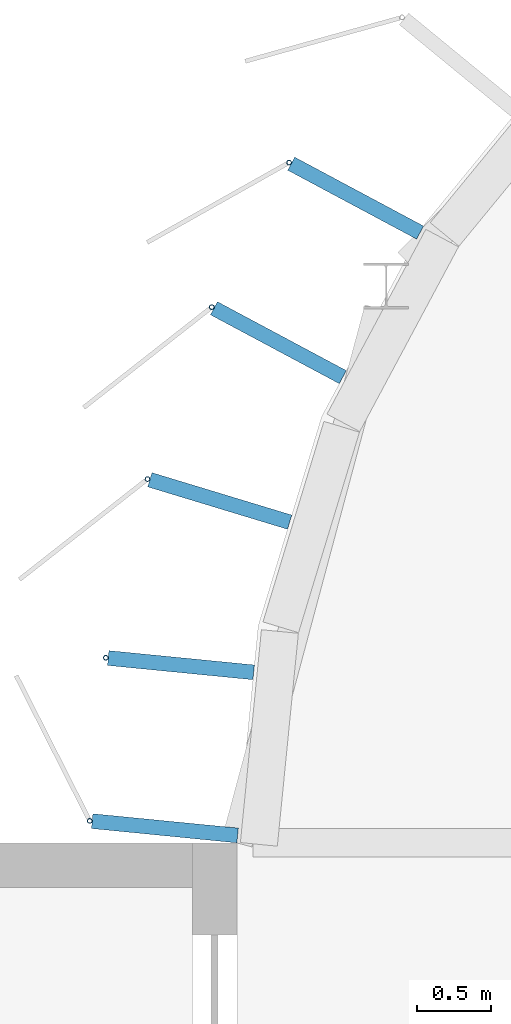
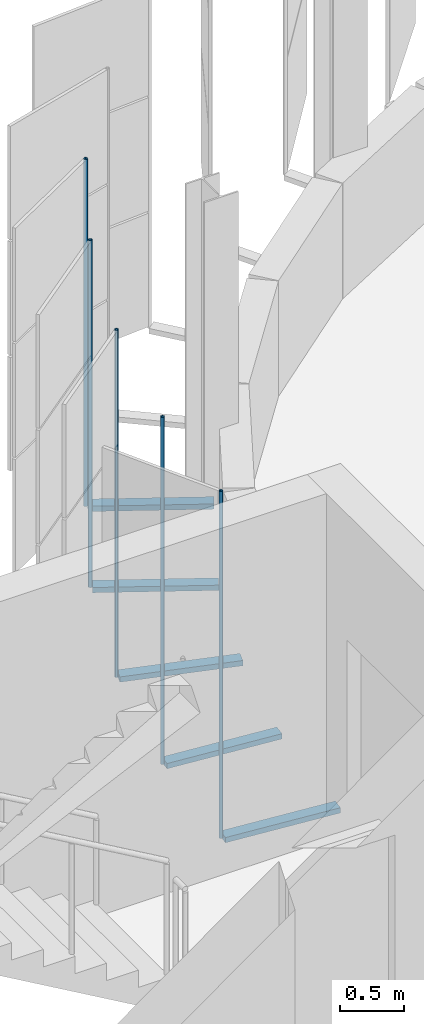
# One storey, part 132 of 199: 10 discrete accessories.
"""IFC4 building model written with IfcOpenShell, lengths in metres."""

from ifc_helpers import new_model, si_unit, direction, frame, origin, origin_2d, place, context, subcontext, project, spatial, rectangle, hollow_circle, extrude, material, material_profile, profile_set, type_object, element, save


model = new_model("IFC4")

# Units and contexts
model_context = context("Model", 3, precision=1e-05, world=origin(), true_north=direction((0.0, 1.0)))
body_context = subcontext(model_context, "Body", "Model", "MODEL_VIEW")
ifc_project = project(units=[si_unit("LENGTHUNIT", "METRE"), si_unit("AREAUNIT", "SQUARE_METRE"), si_unit("VOLUMEUNIT", "CUBIC_METRE"), si_unit("PLANEANGLEUNIT", "RADIAN"), si_unit("MASSUNIT", "GRAM", prefix="KILO")], contexts=[model_context])

# Site, building, storey
site_placement = place(None, origin())
site = spatial("IfcSite", under=ifc_project, at=site_placement, CompositionType="ELEMENT")
building_placement = place(site_placement, origin())
building = spatial("IfcBuilding", under=site, at=building_placement, Name="Parallax Yard Mobility Hub", CompositionType="ELEMENT")
storey_placement = place(building_placement, frame((0.0, 0.0, 9.89990234375)))
storey = spatial("IfcBuildingStorey", under=building, at=storey_placement, Name="L03", CompositionType="ELEMENT", Elevation=9.89990234375)

# Discrete accessories
ifc_material_1 = material(Name="Steel ASTM A36, hot-dip galvanised", Category="steel")
discrete_accessory_type_1 = type_object("IfcDiscreteAccessoryType", Name="Hinge bracket plate 100x50", PredefinedType="BRACKET", material=ifc_material_1)
for number, where, z_axis, x_axis, name in (
    (1, (23.30029296875, 139.341796875, -0.02490234375), (0.0, 0.0, 1.0), (-0.881921264348, 0.471396736826, 0.0), "Hinge bracket plate bay 70.8 level L03"),
    (2, (22.77978515625, 138.368408203125, -0.02490234375), (0.0, 0.0, 1.0), (-0.881921264348, 0.471396736826, 0.0), "Hinge bracket plate bay 70.9 level L03"),
    (3, (22.385009765625, 137.302490234375, -0.02490234375), (0.0, 0.0, 1.0), (-0.956940335732, 0.290284677254, 0.0), "Hinge bracket plate bay 70.10 level L03"),
    (4, (22.123779296875, 136.196533203125, -0.02490234375), (0.0, 0.0, 1.0), (-0.995184726672, 0.09801714033, 0.0), "Hinge bracket plate bay 70.11 level L03"),
    (5, (22.015625, 135.09814453125, -0.02490234375), (0.0, 0.0, 1.0), (-0.995184726672, 0.09801714033, 0.0), "Hinge bracket plate bay 70.12 level L03"),
):
    element("IfcDiscreteAccessory", number, at=place(storey_placement, frame(where, z_axis=z_axis, x_axis=x_axis)), inside=storey, type_object=discrete_accessory_type_1, Name=name, PredefinedType="BRACKET", context=body_context, shape_type="SweptSolid", body=[
        extrude(rectangle(XDim=0.984130859375, YDim=0.10009765625, at=origin_2d()), origin(), (0.0, 0.0, 1.0), 0.050048828125),
    ])
ifc_material_2 = material(Name="Steel ASTM A500 Gr C, hot-dip galvanised", Category="steel")
ifc_material_profile = material_profile(ifc_material_2, hollow_circle(Radius=0.016845703125, WallThickness=0.003173828125, at=origin_2d()), Name="CHS 33.7x3.2")
ifc_profile_set = profile_set([ifc_material_profile], Name="Steel ASTM A500 Gr C, hot-dip galvanised")
discrete_accessory_type_2 = type_object("IfcDiscreteAccessoryType", Name="Hinge post CHS 33.7x3.2", PredefinedType="BRACKET", material=ifc_profile_set)
for number, where, z_axis, x_axis, name in (
    (6, (22.851806640625, 139.58154296875, 0.0), (0.0, 0.0, 1.0), (1.0, 0.0, 0.0), "Hinge post bay 70.8 level L03"),
    (7, (22.33154296875, 138.608154296875, 0.0), (0.0, 0.0, 1.0), (1.0, 0.0, 0.0), "Hinge post bay 70.9 level L03"),
    (8, (21.8984375, 137.4501953125, 0.0), (0.0, 0.0, 1.0), (1.0, 0.0, 0.0), "Hinge post bay 70.10 level L03"),
    (9, (21.617919921875, 136.246337890625, 0.0), (0.0, 0.0, 1.0), (1.0, 0.0, 0.0), "Hinge post bay 70.11 level L03"),
    (10, (21.509765625, 135.14794921875, 0.0), (0.0, 0.0, 1.0), (1.0, 0.0, 0.0), "Hinge post bay 70.12 level L03"),
):
    element("IfcDiscreteAccessory", number, at=place(storey_placement, frame(where, z_axis=z_axis, x_axis=x_axis)), inside=storey, type_object=discrete_accessory_type_2, Name=name, PredefinedType="BRACKET", context=body_context, shape_type="SweptSolid", body=[
        extrude(hollow_circle(Radius=0.016845703125, WallThickness=0.003173828125, at=origin_2d()), origin(), (0.0, 0.0, 1.0), 3.300048828125),
    ])

save(model, "model.ifc")
